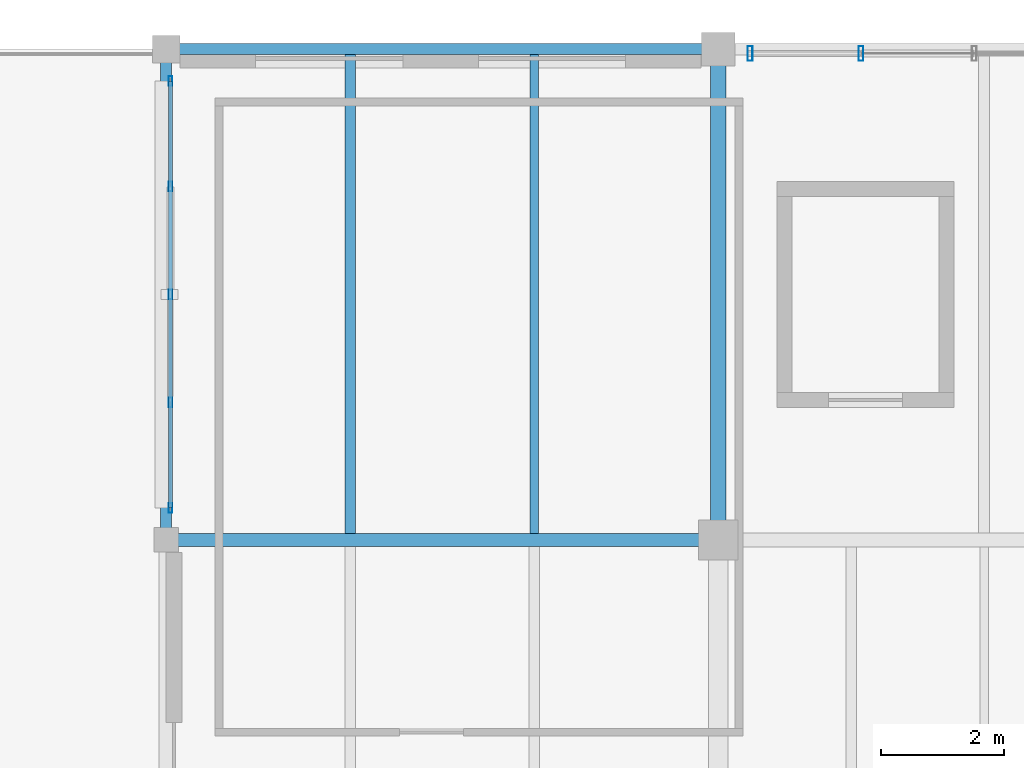
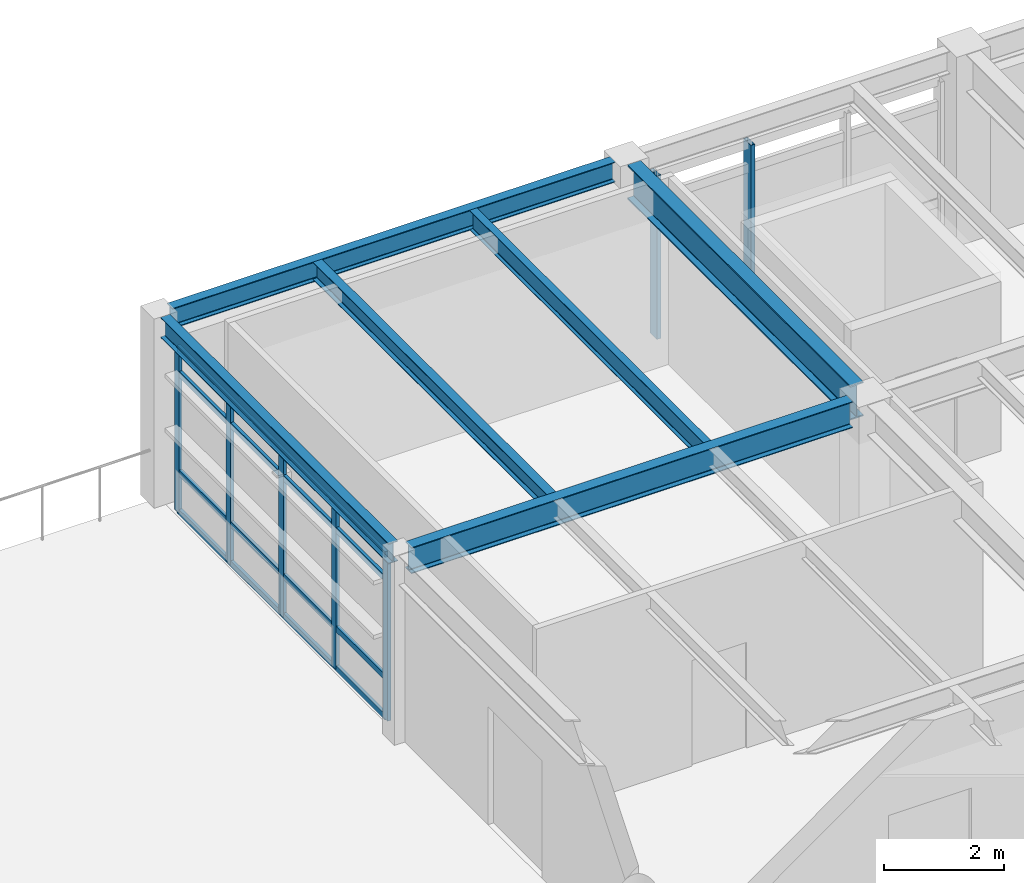
# One storey, part 7 of 26: 11 members, 6 beams, 2 elements without a shape of their own.
"""IFC4 building model written with IfcOpenShell, lengths in metres."""

from ifc_helpers import new_model, si_unit, direction, frame, origin, origin_2d, place, context, subcontext, project, spatial, hollow_rectangle, i_section, extrude, material, material_profile, profile_set, type_object, element, aggregate, save


model = new_model("IFC4")

# Units and contexts
model_context = context("Model", 3, precision=1e-05, world=origin(), true_north=direction((0.0, 1.0)))
body_context = subcontext(model_context, "Body", "Model", "MODEL_VIEW")
ifc_project = project(units=[si_unit("LENGTHUNIT", "METRE"), si_unit("AREAUNIT", "SQUARE_METRE"), si_unit("VOLUMEUNIT", "CUBIC_METRE"), si_unit("PLANEANGLEUNIT", "RADIAN"), si_unit("MASSUNIT", "GRAM", prefix="KILO"), si_unit("THERMODYNAMICTEMPERATUREUNIT", "KELVIN"), si_unit("POWERUNIT", "WATT")], contexts=[model_context])

# Site, building, storey
site_placement = place(None, origin())
site = spatial("IfcSite", under=ifc_project, at=site_placement, CompositionType="ELEMENT")
building_placement = place(site_placement, origin())
building = spatial("IfcBuilding", under=site, at=building_placement, Name="Tepalcoro Natatorium and Aquatics Centre", CompositionType="ELEMENT")
storey_placement = place(building_placement, frame((0.0, 0.0, 19.0)))
storey = spatial("IfcBuildingStorey", under=building, at=storey_placement, Name="L04", CompositionType="ELEMENT", Elevation=19.0)

# Beams
ifc_material_1 = material(Name="Steel ASTM A992 Grade 50 (Fy 345 MPa)", Category="steel")
ifc_material_profile_1 = material_profile(ifc_material_1, i_section(OverallWidth=0.2099609375, OverallDepth=0.532958984375, WebThickness=0.010009765625, FlangeThickness=0.01611328125, FilletRadius=0.013916015625, at=origin_2d()), Name="W21X62")
ifc_profile_set_1 = profile_set([ifc_material_profile_1], Name="Steel ASTM A992 Grade 50 (Fy 345 MPa)")
beam_type_1 = type_object("IfcBeamType", Name="BM_W21x62", PredefinedType="BEAM", material=ifc_profile_set_1)
beam_1_placement = place(storey_placement, frame((116.18505859375, 110.0, 3.568603515625), z_axis=(1.0, 0.0, 0.0), x_axis=(0.0, 1.0, 0.0)))
element("IfcBeam", 1, at=beam_1_placement, inside=storey, type_object=beam_type_1, Name="V5 L04 Grid Girder X", PredefinedType="BEAM", context=body_context, shape_type="SweptSolid", body=[
    extrude(i_section(OverallWidth=0.2099609375, OverallDepth=0.532958984375, WebThickness=0.010009765625, FlangeThickness=0.01611328125, FilletRadius=0.013916015625, at=origin_2d()), origin(), (0.0, 0.0, 1.0), 8.5048828125),
])
ifc_material_profile_2 = material_profile(ifc_material_1, i_section(OverallWidth=0.25390625, OverallDepth=0.700927734375, WebThickness=0.014892578125, FlangeThickness=0.028076171875, FilletRadius=0.013916015625, at=origin_2d()), Name="W27X129")
ifc_profile_set_2 = profile_set([ifc_material_profile_2], Name="Steel ASTM A992 Grade 50 (Fy 345 MPa)")
beam_type_2 = type_object("IfcBeamType", Name="BM_W27x129", PredefinedType="BEAM", material=ifc_profile_set_2)
beam_2_placement = place(storey_placement, frame((125.0, 110.31005859375, 3.484619140625), z_axis=(0.0, 1.0, 0.0), x_axis=(-1.0, 0.0, 0.0)))
element("IfcBeam", 2, at=beam_2_placement, inside=storey, type_object=beam_type_2, Name="V5 L04 Grid Girder Y", PredefinedType="BEAM", context=body_context, shape_type="SweptSolid", body=[
    extrude(i_section(OverallWidth=0.25390625, OverallDepth=0.700927734375, WebThickness=0.014892578125, FlangeThickness=0.028076171875, FilletRadius=0.013916015625, at=origin_2d()), origin(), (0.0, 0.0, 1.0), 7.429931640625),
])

# Curtain wall, members
ifc_material_2 = material(Name="Bronze-Anodised Extruded Aluminium Alloy EN AW-6063 T6", Category="aluminium")
curtain_wall_type = type_object("IfcCurtainWallType", Name="CW_LEAN_T1_EW", PredefinedType="USERDEFINED", material=ifc_material_2)
curtain_wall_1_placement = place(storey_placement, origin())
curtain_wall_1 = element("IfcCurtainWall", 3, at=curtain_wall_1_placement, inside=storey, type_object=curtain_wall_type, Name="V5 L04 W Unitised Curtain Wall Bay 3", ObjectType="FACETED SOLAR GLAZING", PredefinedType="USERDEFINED")
ifc_material_profile_3 = material_profile(ifc_material_2, hollow_rectangle(XDim=0.06005859375, YDim=0.159912109375, WallThickness=0.00390625, at=origin_2d()), Name="AL60X160X4")
ifc_profile_set_3 = profile_set([ifc_material_profile_3], Name="Bronze-Anodised Extruded Aluminium Alloy EN AW-6063 T6")
member_type_1 = type_object("IfcMemberType", Name="CW_MUL_60x160", PredefinedType="MULLION", material=ifc_profile_set_3)
member_1_placement = place(storey_placement, frame((116.0712890625, 110.52001953125, 0.02001953125), z_axis=(0.0, 0.0, 1.0), x_axis=(1.0, 0.0, 0.0)))
member_1 = element("IfcMember", 4, at=member_1_placement, type_object=member_type_1, Name="CW_LEAN_T1_EW Curtain Wall Mullion", PredefinedType="MULLION", context=body_context, shape_type="SweptSolid", body=[
    extrude(hollow_rectangle(XDim=0.06005859375, YDim=0.159912109375, WallThickness=0.00390625, at=origin_2d()), origin(), (0.0, 0.0, 1.0), 3.366943359375),
])
member_2_placement = place(storey_placement, frame((116.0712890625, 112.239990234375, 0.02001953125), z_axis=(0.0, 0.0, 1.0), x_axis=(1.0, 0.0, 0.0)))
member_2 = element("IfcMember", 5, at=member_2_placement, type_object=member_type_1, Name="CW_LEAN_T1_EW Curtain Wall Mullion", PredefinedType="MULLION", context=body_context, shape_type="SweptSolid", body=[
    extrude(hollow_rectangle(XDim=0.06005859375, YDim=0.159912109375, WallThickness=0.00390625, at=origin_2d()), origin(), (0.0, 0.0, 1.0), 3.366943359375),
])
member_3_placement = place(storey_placement, frame((116.0712890625, 114.0, 0.02001953125), z_axis=(0.0, 0.0, 1.0), x_axis=(1.0, 0.0, 0.0)))
member_3 = element("IfcMember", 6, at=member_3_placement, type_object=member_type_1, Name="CW_LEAN_T1_EW Curtain Wall Mullion", PredefinedType="MULLION", context=body_context, shape_type="SweptSolid", body=[
    extrude(hollow_rectangle(XDim=0.06005859375, YDim=0.159912109375, WallThickness=0.00390625, at=origin_2d()), origin(), (0.0, 0.0, 1.0), 3.366943359375),
])
member_4_placement = place(storey_placement, frame((116.0712890625, 115.760009765625, 0.02001953125), z_axis=(0.0, 0.0, 1.0), x_axis=(1.0, 0.0, 0.0)))
member_4 = element("IfcMember", 7, at=member_4_placement, type_object=member_type_1, Name="CW_LEAN_T1_EW Curtain Wall Mullion", PredefinedType="MULLION", context=body_context, shape_type="SweptSolid", body=[
    extrude(hollow_rectangle(XDim=0.06005859375, YDim=0.159912109375, WallThickness=0.00390625, at=origin_2d()), origin(), (0.0, 0.0, 1.0), 3.366943359375),
])
member_5_placement = place(storey_placement, frame((116.0712890625, 117.47998046875, 0.02001953125), z_axis=(0.0, 0.0, 1.0), x_axis=(1.0, 0.0, 0.0)))
member_5 = element("IfcMember", 8, at=member_5_placement, type_object=member_type_1, Name="CW_LEAN_T1_EW Curtain Wall Mullion", PredefinedType="MULLION", context=body_context, shape_type="SweptSolid", body=[
    extrude(hollow_rectangle(XDim=0.06005859375, YDim=0.159912109375, WallThickness=0.00390625, at=origin_2d()), origin(), (0.0, 0.0, 1.0), 3.366943359375),
])

curtain_wall_2_placement = place(storey_placement, origin())
curtain_wall_2 = element("IfcCurtainWall", 9, at=curtain_wall_2_placement, inside=storey, type_object=curtain_wall_type, Name="V5 L04 N Unitised Curtain Wall Bay 2", ObjectType="FACETED SOLAR GLAZING", PredefinedType="USERDEFINED")
ifc_material_profile_4 = material_profile(ifc_material_2, hollow_rectangle(XDim=0.080078125, YDim=0.239990234375, WallThickness=0.0048828125, at=origin_2d()), Name="AL80X240X5")
ifc_profile_set_4 = profile_set([ifc_material_profile_4], Name="Bronze-Anodised Extruded Aluminium Alloy EN AW-6063 T6")
member_type_2 = type_object("IfcMemberType", Name="CW_MUL_80x240", PredefinedType="MULLION", material=ifc_profile_set_4)
member_6_placement = place(storey_placement, frame((125.52001953125, 117.9287109375, 0.02001953125), z_axis=(0.0, 0.0, 1.0), x_axis=(1.0, 0.0, 0.0)))
member_6 = element("IfcMember", 10, at=member_6_placement, type_object=member_type_2, Name="CW_LEAN_T1_EW Curtain Wall Mullion", PredefinedType="MULLION", context=body_context, shape_type="SweptSolid", body=[
    extrude(hollow_rectangle(XDim=0.080078125, YDim=0.239990234375, WallThickness=0.0048828125, at=origin_2d()), origin(), (0.0, 0.0, 1.0), 3.320068359375),
])
member_7_placement = place(storey_placement, frame((127.32666015625, 117.9287109375, 0.02001953125), z_axis=(0.0, 0.0, 1.0), x_axis=(1.0, 0.0, 0.0)))
member_7 = element("IfcMember", 11, at=member_7_placement, type_object=member_type_2, Name="CW_LEAN_T1_EW Curtain Wall Mullion", PredefinedType="MULLION", context=body_context, shape_type="SweptSolid", body=[
    extrude(hollow_rectangle(XDim=0.080078125, YDim=0.239990234375, WallThickness=0.0048828125, at=origin_2d()), origin(), (0.0, 0.0, 1.0), 3.320068359375),
])
aggregate(curtain_wall_2, [member_6, member_7])

# Member
ifc_material_profile_5 = material_profile(ifc_material_2, hollow_rectangle(XDim=0.06005859375, YDim=0.1201171875, WallThickness=0.00390625, at=origin_2d()), Name="AL60X120X4")
ifc_profile_set_5 = profile_set([ifc_material_profile_5], Name="Bronze-Anodised Extruded Aluminium Alloy EN AW-6063 T6")
member_type_3 = type_object("IfcMemberType", Name="CW_TRN_60x120", PredefinedType="USERDEFINED", material=ifc_profile_set_5)
member_8_placement = place(storey_placement, frame((116.0712890625, 110.530029296875, 0.050048828125), z_axis=(0.0, 1.0, 0.0), x_axis=(-1.0, 0.0, 0.0)))
member_8 = element("IfcMember", 12, at=member_8_placement, type_object=member_type_3, Name="CW_LEAN_T1_EW Curtain Wall Transom", ObjectType="TRANSOM", PredefinedType="USERDEFINED", context=body_context, shape_type="SweptSolid", body=[
    extrude(hollow_rectangle(XDim=0.06005859375, YDim=0.1201171875, WallThickness=0.00390625, at=origin_2d()), origin(), (0.0, 0.0, 1.0), 6.93994140625),
])

member_9_placement = place(storey_placement, frame((116.0712890625, 110.530029296875, 0.851806640625), z_axis=(0.0, 1.0, 0.0), x_axis=(-1.0, 0.0, 0.0)))
member_9 = element("IfcMember", 13, at=member_9_placement, type_object=member_type_3, Name="CW_LEAN_T1_EW Curtain Wall Transom", ObjectType="TRANSOM", PredefinedType="USERDEFINED", context=body_context, shape_type="SweptSolid", body=[
    extrude(hollow_rectangle(XDim=0.06005859375, YDim=0.1201171875, WallThickness=0.00390625, at=origin_2d()), origin(), (0.0, 0.0, 1.0), 6.93994140625),
])

member_10_placement = place(storey_placement, frame((116.0712890625, 110.530029296875, 2.86181640625), z_axis=(0.0, 1.0, 0.0), x_axis=(-1.0, 0.0, 0.0)))
member_10 = element("IfcMember", 14, at=member_10_placement, type_object=member_type_3, Name="CW_LEAN_T1_EW Curtain Wall Transom", ObjectType="TRANSOM", PredefinedType="USERDEFINED", context=body_context, shape_type="SweptSolid", body=[
    extrude(hollow_rectangle(XDim=0.06005859375, YDim=0.1201171875, WallThickness=0.00390625, at=origin_2d()), origin(), (0.0, 0.0, 1.0), 6.93994140625),
])

member_11_placement = place(storey_placement, frame((116.0712890625, 110.530029296875, 3.35693359375), z_axis=(0.0, 1.0, 0.0), x_axis=(-1.0, 0.0, 0.0)))
member_11 = element("IfcMember", 15, at=member_11_placement, type_object=member_type_3, Name="CW_LEAN_T1_EW Curtain Wall Transom", ObjectType="TRANSOM", PredefinedType="USERDEFINED", context=body_context, shape_type="SweptSolid", body=[
    extrude(hollow_rectangle(XDim=0.06005859375, YDim=0.1201171875, WallThickness=0.00390625, at=origin_2d()), origin(), (0.0, 0.0, 1.0), 6.93994140625),
])

aggregate(curtain_wall_1, [member_1, member_2, member_3, member_4, member_5, member_8, member_9, member_10, member_11])

# Beams
ifc_material_profile_6 = material_profile(ifc_material_1, i_section(OverallWidth=0.172119140625, OverallDepth=0.35791015625, WebThickness=0.008056640625, FlangeThickness=0.012939453125, FilletRadius=0.013916015625, at=origin_2d()), Name="W14X38")
ifc_profile_set_6 = profile_set([ifc_material_profile_6], Name="Steel ASTM A992 Grade 50 (Fy 345 MPa)")
beam_type_3 = type_object("IfcBeamType", Name="JS_W14x38", PredefinedType="JOIST", material=ifc_profile_set_6)
beam_3_placement = place(storey_placement, frame((119.0, 110.10498046875, 3.656005859375), z_axis=(0.0, 1.0, 0.0), x_axis=(-1.0, 0.0, 0.0)))
element("IfcBeam", 16, at=beam_3_placement, inside=storey, type_object=beam_type_3, Name="V5 L04 Floor Joist", PredefinedType="JOIST", context=body_context, shape_type="SweptSolid", body=[
    extrude(i_section(OverallWidth=0.172119140625, OverallDepth=0.35791015625, WebThickness=0.008056640625, FlangeThickness=0.012939453125, FilletRadius=0.013916015625, at=origin_2d()), origin(), (0.0, 0.0, 1.0), 7.804931640625),
])
ifc_material_profile_7 = material_profile(ifc_material_1, i_section(OverallWidth=0.139892578125, OverallDepth=0.404052734375, WebThickness=0.007080078125, FlangeThickness=0.010986328125, FilletRadius=0.013916015625, at=origin_2d()), Name="W16X31")
ifc_profile_set_7 = profile_set([ifc_material_profile_7], Name="Steel ASTM A992 Grade 50 (Fy 345 MPa)")
beam_type_4 = type_object("IfcBeamType", Name="JS_W16x31", PredefinedType="JOIST", material=ifc_profile_set_7)
beam_4_placement = place(storey_placement, frame((122.0, 110.10498046875, 3.633056640625), z_axis=(0.0, 1.0, 0.0), x_axis=(-1.0, 0.0, 0.0)))
element("IfcBeam", 17, at=beam_4_placement, inside=storey, type_object=beam_type_4, Name="V5 L04 Floor Joist", PredefinedType="JOIST", context=body_context, shape_type="SweptSolid", body=[
    extrude(i_section(OverallWidth=0.139892578125, OverallDepth=0.404052734375, WebThickness=0.007080078125, FlangeThickness=0.010986328125, FilletRadius=0.013916015625, at=origin_2d()), origin(), (0.0, 0.0, 1.0), 7.804931640625),
])
ifc_material_profile_8 = material_profile(ifc_material_1, i_section(OverallWidth=0.179931640625, OverallDepth=0.4130859375, WebThickness=0.010009765625, FlangeThickness=0.01611328125, FilletRadius=0.013916015625, at=origin_2d()), Name="W16X50")
ifc_profile_set_8 = profile_set([ifc_material_profile_8], Name="Steel ASTM A992 Grade 50 (Fy 345 MPa)")
beam_type_5 = type_object("IfcBeamType", Name="SP_HSS300x200x12", PredefinedType="SPANDREL", material=ifc_profile_set_8)
beam_5_placement = place(storey_placement, frame((116.2099609375, 118.0, 3.62841796875), z_axis=(1.0, 0.0, 0.0), x_axis=(0.0, 1.0, 0.0)))
element("IfcBeam", 18, at=beam_5_placement, inside=storey, type_object=beam_type_5, Name="V5 L04 Grid Girder X", PredefinedType="SPANDREL", context=body_context, shape_type="SweptSolid", body=[
    extrude(i_section(OverallWidth=0.179931640625, OverallDepth=0.4130859375, WebThickness=0.010009765625, FlangeThickness=0.01611328125, FilletRadius=0.013916015625, at=origin_2d()), origin(), (0.0, 0.0, 1.0), 8.530029296875),
])
beam_6_placement = place(storey_placement, frame((116.0, 110.18505859375, 3.62841796875), z_axis=(0.0, 1.0, 0.0), x_axis=(-1.0, 0.0, 0.0)))
element("IfcBeam", 19, at=beam_6_placement, inside=storey, type_object=beam_type_5, Name="V5 L04 Grid Girder Y", PredefinedType="SPANDREL", context=body_context, shape_type="SweptSolid", body=[
    extrude(i_section(OverallWidth=0.179931640625, OverallDepth=0.4130859375, WebThickness=0.010009765625, FlangeThickness=0.01611328125, FilletRadius=0.013916015625, at=origin_2d()), origin(), (0.0, 0.0, 1.0), 7.60498046875),
])

save(model, "model.ifc")
